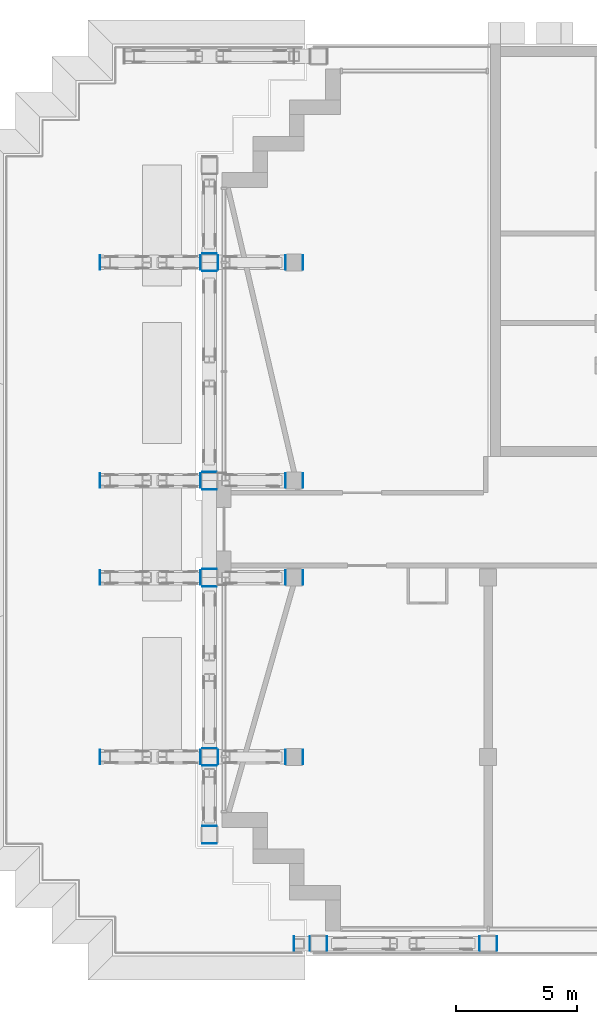
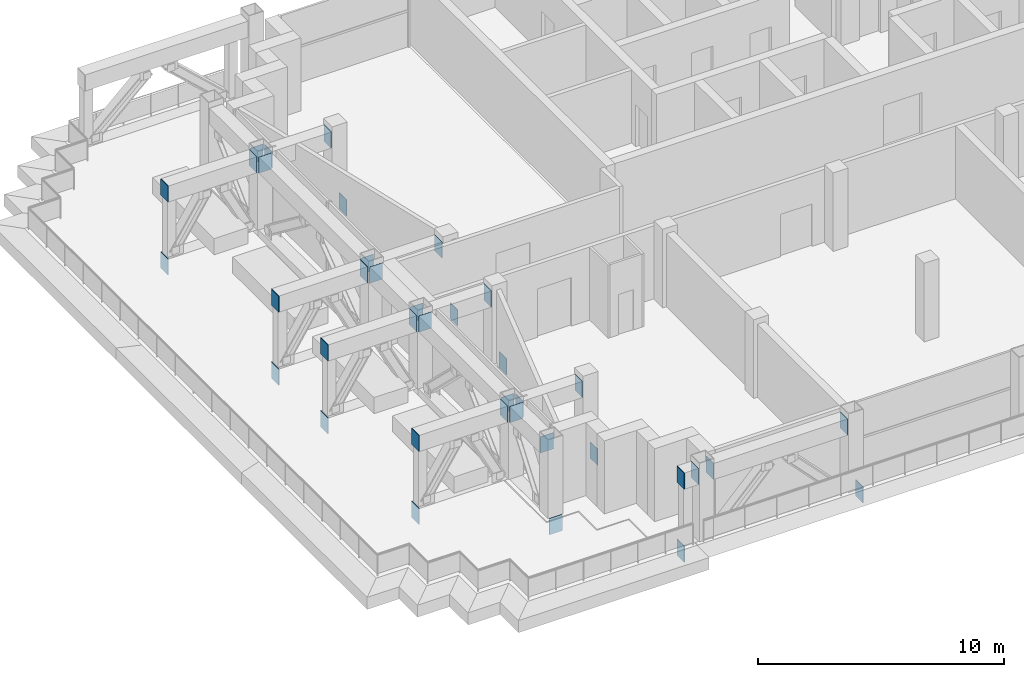
# One storey, part 10 of 21: 38 discrete accessories.
"""IFC4 building model written with IfcOpenShell, lengths in metres."""

from ifc_helpers import new_model, si_unit, direction, frame, origin, origin_2d, place, context, subcontext, project, spatial, rectangle, extrude, element, save


model = new_model("IFC4")

# Units and contexts
model_context = context("Model", 3, precision=1e-05, world=origin(), true_north=direction((0.0, 1.0)))
body_context = subcontext(model_context, "Body", "Model", "MODEL_VIEW")
ifc_project = project(units=[si_unit("LENGTHUNIT", "METRE"), si_unit("AREAUNIT", "SQUARE_METRE"), si_unit("VOLUMEUNIT", "CUBIC_METRE"), si_unit("PLANEANGLEUNIT", "RADIAN"), si_unit("MASSUNIT", "GRAM", prefix="KILO")], contexts=[model_context])

# Site, building, storey
site_placement = place(None, origin())
site = spatial("IfcSite", under=ifc_project, at=site_placement, CompositionType="ELEMENT")
building_placement = place(site_placement, origin())
building = spatial("IfcBuilding", under=site, at=building_placement, Name="Vidyagriha Tower", CompositionType="ELEMENT")
storey_placement = place(building_placement, frame((0.0, 0.0, 161.39990234375)))
storey = spatial("IfcBuildingStorey", under=building, at=storey_placement, Name="L41", CompositionType="ELEMENT", Elevation=161.39990234375)

# Discrete accessories
discrete_accessory_1_placement = place(storey_placement, frame((-22.014892578125, -17.10009765625, -0.7998046875), z_axis=(0.0, 0.0, 1.0), x_axis=(-1.0, 0.0, 0.0)))
element("IfcDiscreteAccessory", 1, at=discrete_accessory_1_placement, inside=storey, Name="Chord end plate", ObjectType="END PLATE", PredefinedType="USERDEFINED", context=body_context, shape_type="SweptSolid", body=[
    extrude(rectangle(XDim=0.030029296875, YDim=0.60009765625, at=origin_2d()), origin(), (0.0, 0.0, 1.0), 0.800048828125),
])
discrete_accessory_2_placement = place(storey_placement, frame((-13.635009765625, -17.10009765625, -0.7998046875)))
element("IfcDiscreteAccessory", 2, at=discrete_accessory_2_placement, inside=storey, Name="Chord end plate", ObjectType="END PLATE", PredefinedType="USERDEFINED", context=body_context, shape_type="SweptSolid", body=[
    extrude(rectangle(XDim=0.030029296875, YDim=0.60009765625, at=origin_2d()), origin(), (0.0, 0.0, 1.0), 0.800048828125),
])
for number, where, z_axis, x_axis, name in (
    (3, (-22.014892578125, -17.10009765625, 2.8203125), (0.0, 0.0, 1.0), (-1.0, 0.0, 0.0), "Chord end plate"),
    (4, (-30.014892578125, -9.39990234375, -0.7998046875), (0.0, 0.0, 1.0), (-1.0, 0.0, 0.0), "Chord end plate"),
):
    element("IfcDiscreteAccessory", number, at=place(storey_placement, frame(where, z_axis=z_axis, x_axis=x_axis)), inside=storey, Name=name, ObjectType="END PLATE", PredefinedType="USERDEFINED", context=body_context, shape_type="SweptSolid", body=[
        extrude(rectangle(XDim=0.030029296875, YDim=0.60009765625, at=origin_2d()), origin(), (0.0, 0.0, 1.0), 0.800048828125),
    ])
discrete_accessory_3_placement = place(storey_placement, frame((-21.635009765625, -9.39990234375, -0.7998046875)))
element("IfcDiscreteAccessory", 5, at=discrete_accessory_3_placement, inside=storey, Name="Chord end plate", ObjectType="END PLATE", PredefinedType="USERDEFINED", context=body_context, shape_type="SweptSolid", body=[
    extrude(rectangle(XDim=0.030029296875, YDim=0.60009765625, at=origin_2d()), origin(), (0.0, 0.0, 1.0), 0.800048828125),
])
for number, where, z_axis, x_axis, name in (
    (6, (-30.014892578125, -9.39990234375, 2.8203125), (0.0, 0.0, 1.0), (-1.0, 0.0, 0.0), "Chord end plate"),
    (7, (-30.014892578125, -2.0, -0.7998046875), (0.0, 0.0, 1.0), (-1.0, 0.0, 0.0), "Chord end plate"),
):
    element("IfcDiscreteAccessory", number, at=place(storey_placement, frame(where, z_axis=z_axis, x_axis=x_axis)), inside=storey, Name=name, ObjectType="END PLATE", PredefinedType="USERDEFINED", context=body_context, shape_type="SweptSolid", body=[
        extrude(rectangle(XDim=0.030029296875, YDim=0.60009765625, at=origin_2d()), origin(), (0.0, 0.0, 1.0), 0.800048828125),
    ])
discrete_accessory_4_placement = place(storey_placement, frame((-21.635009765625, -2.0, -0.7998046875)))
element("IfcDiscreteAccessory", 8, at=discrete_accessory_4_placement, inside=storey, Name="Chord end plate", ObjectType="END PLATE", PredefinedType="USERDEFINED", context=body_context, shape_type="SweptSolid", body=[
    extrude(rectangle(XDim=0.030029296875, YDim=0.60009765625, at=origin_2d()), origin(), (0.0, 0.0, 1.0), 0.800048828125),
])
for number, where, z_axis, x_axis, name in (
    (9, (-30.014892578125, -2.0, 2.8203125), (0.0, 0.0, 1.0), (-1.0, 0.0, 0.0), "Chord end plate"),
    (10, (-30.014892578125, 2.0, -0.7998046875), (0.0, 0.0, 1.0), (-1.0, 0.0, 0.0), "Chord end plate"),
):
    element("IfcDiscreteAccessory", number, at=place(storey_placement, frame(where, z_axis=z_axis, x_axis=x_axis)), inside=storey, Name=name, ObjectType="END PLATE", PredefinedType="USERDEFINED", context=body_context, shape_type="SweptSolid", body=[
        extrude(rectangle(XDim=0.030029296875, YDim=0.60009765625, at=origin_2d()), origin(), (0.0, 0.0, 1.0), 0.800048828125),
    ])
discrete_accessory_5_placement = place(storey_placement, frame((-21.635009765625, 2.0, -0.7998046875)))
element("IfcDiscreteAccessory", 11, at=discrete_accessory_5_placement, inside=storey, Name="Chord end plate", ObjectType="END PLATE", PredefinedType="USERDEFINED", context=body_context, shape_type="SweptSolid", body=[
    extrude(rectangle(XDim=0.030029296875, YDim=0.60009765625, at=origin_2d()), origin(), (0.0, 0.0, 1.0), 0.800048828125),
])
for number, where, z_axis, x_axis, name in (
    (12, (-30.014892578125, 2.0, 2.8203125), (0.0, 0.0, 1.0), (-1.0, 0.0, 0.0), "Chord end plate"),
    (13, (-30.014892578125, 11.0, -0.7998046875), (0.0, 0.0, 1.0), (-1.0, 0.0, 0.0), "Chord end plate"),
):
    element("IfcDiscreteAccessory", number, at=place(storey_placement, frame(where, z_axis=z_axis, x_axis=x_axis)), inside=storey, Name=name, ObjectType="END PLATE", PredefinedType="USERDEFINED", context=body_context, shape_type="SweptSolid", body=[
        extrude(rectangle(XDim=0.030029296875, YDim=0.60009765625, at=origin_2d()), origin(), (0.0, 0.0, 1.0), 0.800048828125),
    ])
discrete_accessory_6_placement = place(storey_placement, frame((-21.635009765625, 11.0, -0.7998046875)))
element("IfcDiscreteAccessory", 14, at=discrete_accessory_6_placement, inside=storey, Name="Chord end plate", ObjectType="END PLATE", PredefinedType="USERDEFINED", context=body_context, shape_type="SweptSolid", body=[
    extrude(rectangle(XDim=0.030029296875, YDim=0.60009765625, at=origin_2d()), origin(), (0.0, 0.0, 1.0), 0.800048828125),
])
for number, where, z_axis, x_axis, name in (
    (15, (-30.014892578125, 11.0, 2.8203125), (0.0, 0.0, 1.0), (-1.0, 0.0, 0.0), "Chord end plate"),
    (16, (-25.5, -12.965087890625, -0.7998046875), (0.0, 0.0, 1.0), (0.0, -1.0, 0.0), "Chord end plate"),
):
    element("IfcDiscreteAccessory", number, at=place(storey_placement, frame(where, z_axis=z_axis, x_axis=x_axis)), inside=storey, Name=name, ObjectType="END PLATE", PredefinedType="USERDEFINED", context=body_context, shape_type="SweptSolid", body=[
        extrude(rectangle(XDim=0.030029296875, YDim=0.60009765625, at=origin_2d()), origin(), (0.0, 0.0, 1.0), 0.800048828125),
    ])
discrete_accessory_7_placement = place(storey_placement, frame((-21.35986328125, -17.10009765625, 2.8203125)))
element("IfcDiscreteAccessory", 17, at=discrete_accessory_7_placement, inside=storey, Name="End plate ASTM A572 Grade 50 20mm", ObjectType="END PLATE", PredefinedType="USERDEFINED", context=body_context, shape_type="SweptSolid", body=[
    extrude(rectangle(XDim=0.02001953125, YDim=0.60009765625, at=origin_2d()), origin(), (0.0, 0.0, 1.0), 0.800048828125),
])
discrete_accessory_8_placement = place(storey_placement, frame((-20.64013671875, -17.10009765625, 2.8203125), z_axis=(0.0, 0.0, 1.0), x_axis=(-1.0, 0.0, 0.0)))
element("IfcDiscreteAccessory", 18, at=discrete_accessory_8_placement, inside=storey, Name="End plate ASTM A572 Grade 50 20mm", ObjectType="END PLATE", PredefinedType="USERDEFINED", context=body_context, shape_type="SweptSolid", body=[
    extrude(rectangle(XDim=0.02001953125, YDim=0.60009765625, at=origin_2d()), origin(), (0.0, 0.0, 1.0), 0.800048828125),
])
for number, where, name in (
    (19, (-14.35986328125, -17.10009765625, 2.8203125), "End plate ASTM A572 Grade 50 20mm"),
    (20, (-25.85986328125, -9.39990234375, 2.8203125), "End plate ASTM A572 Grade 50 20mm"),
):
    element("IfcDiscreteAccessory", number, at=place(storey_placement, frame(where)), inside=storey, Name=name, ObjectType="END PLATE", PredefinedType="USERDEFINED", context=body_context, shape_type="SweptSolid", body=[
        extrude(rectangle(XDim=0.02001953125, YDim=0.60009765625, at=origin_2d()), origin(), (0.0, 0.0, 1.0), 0.800048828125),
    ])
discrete_accessory_9_placement = place(storey_placement, frame((-25.14013671875, -9.39990234375, 2.8203125), z_axis=(0.0, 0.0, 1.0), x_axis=(-1.0, 0.0, 0.0)))
element("IfcDiscreteAccessory", 21, at=discrete_accessory_9_placement, inside=storey, Name="End plate ASTM A572 Grade 50 20mm", ObjectType="END PLATE", PredefinedType="USERDEFINED", context=body_context, shape_type="SweptSolid", body=[
    extrude(rectangle(XDim=0.02001953125, YDim=0.60009765625, at=origin_2d()), origin(), (0.0, 0.0, 1.0), 0.800048828125),
])
for number, where, name in (
    (22, (-22.35986328125, -9.39990234375, 2.8203125), "End plate ASTM A572 Grade 50 20mm"),
    (23, (-25.85986328125, -2.0, 2.8203125), "End plate ASTM A572 Grade 50 20mm"),
    (24, (-22.35986328125, -2.0, 2.8203125), "End plate ASTM A572 Grade 50 20mm"),
    (25, (-25.85986328125, 2.0, 2.8203125), "End plate ASTM A572 Grade 50 20mm"),
    (26, (-22.35986328125, 2.0, 2.8203125), "End plate ASTM A572 Grade 50 20mm"),
    (27, (-25.85986328125, 11.0, 2.8203125), "End plate ASTM A572 Grade 50 20mm"),
):
    element("IfcDiscreteAccessory", number, at=place(storey_placement, frame(where)), inside=storey, Name=name, ObjectType="END PLATE", PredefinedType="USERDEFINED", context=body_context, shape_type="SweptSolid", body=[
        extrude(rectangle(XDim=0.02001953125, YDim=0.60009765625, at=origin_2d()), origin(), (0.0, 0.0, 1.0), 0.800048828125),
    ])
discrete_accessory_10_placement = place(storey_placement, frame((-25.14013671875, 11.0, 2.8203125), z_axis=(0.0, 0.0, 1.0), x_axis=(-1.0, 0.0, 0.0)))
element("IfcDiscreteAccessory", 28, at=discrete_accessory_10_placement, inside=storey, Name="End plate ASTM A572 Grade 50 20mm", ObjectType="END PLATE", PredefinedType="USERDEFINED", context=body_context, shape_type="SweptSolid", body=[
    extrude(rectangle(XDim=0.02001953125, YDim=0.60009765625, at=origin_2d()), origin(), (0.0, 0.0, 1.0), 0.800048828125),
])
discrete_accessory_11_placement = place(storey_placement, frame((-22.35986328125, 11.0, 2.8203125)))
element("IfcDiscreteAccessory", 29, at=discrete_accessory_11_placement, inside=storey, Name="End plate ASTM A572 Grade 50 20mm", ObjectType="END PLATE", PredefinedType="USERDEFINED", context=body_context, shape_type="SweptSolid", body=[
    extrude(rectangle(XDim=0.02001953125, YDim=0.60009765625, at=origin_2d()), origin(), (0.0, 0.0, 1.0), 0.800048828125),
])
for number, where, z_axis, x_axis, name in (
    (30, (-25.5, -12.240234375, 2.8203125), (0.0, 0.0, 1.0), (0.0, -1.0, 0.0), "End plate ASTM A572 Grade 50 20mm"),
    (31, (-25.5, -9.759765625, 2.8203125), (0.0, 0.0, 1.0), (0.0, 1.0, 0.0), "End plate ASTM A572 Grade 50 20mm"),
    (32, (-25.5, -9.040283203125, 2.8203125), (0.0, 0.0, 1.0), (0.0, -1.0, 0.0), "End plate ASTM A572 Grade 50 20mm"),
    (33, (-25.5, -2.35986328125, 2.8203125), (0.0, 0.0, 1.0), (0.0, 1.0, 0.0), "End plate ASTM A572 Grade 50 20mm"),
    (34, (-25.5, -1.64013671875, 2.8203125), (0.0, 0.0, 1.0), (0.0, -1.0, 0.0), "End plate ASTM A572 Grade 50 20mm"),
    (35, (-25.5, 1.64013671875, 2.8203125), (0.0, 0.0, 1.0), (0.0, 1.0, 0.0), "End plate ASTM A572 Grade 50 20mm"),
    (36, (-25.5, 2.35986328125, 2.8203125), (0.0, 0.0, 1.0), (0.0, -1.0, 0.0), "End plate ASTM A572 Grade 50 20mm"),
    (37, (-25.5, 10.64013671875, 2.8203125), (0.0, 0.0, 1.0), (0.0, 1.0, 0.0), "End plate ASTM A572 Grade 50 20mm"),
    (38, (-25.5, 11.35986328125, 2.8203125), (0.0, 0.0, 1.0), (0.0, -1.0, 0.0), "End plate ASTM A572 Grade 50 20mm"),
):
    element("IfcDiscreteAccessory", number, at=place(storey_placement, frame(where, z_axis=z_axis, x_axis=x_axis)), inside=storey, Name=name, ObjectType="END PLATE", PredefinedType="USERDEFINED", context=body_context, shape_type="SweptSolid", body=[
        extrude(rectangle(XDim=0.02001953125, YDim=0.60009765625, at=origin_2d()), origin(), (0.0, 0.0, 1.0), 0.800048828125),
    ])

save(model, "model.ifc")
